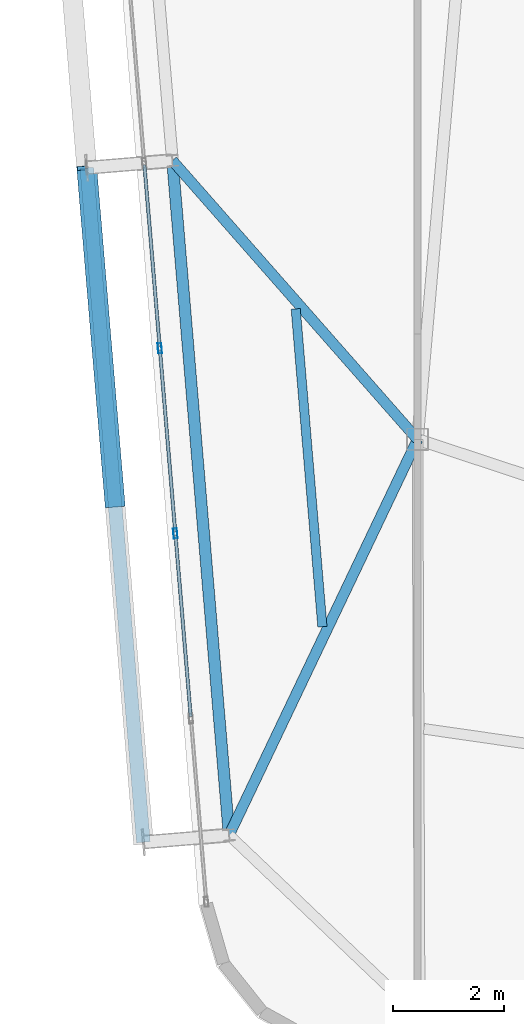
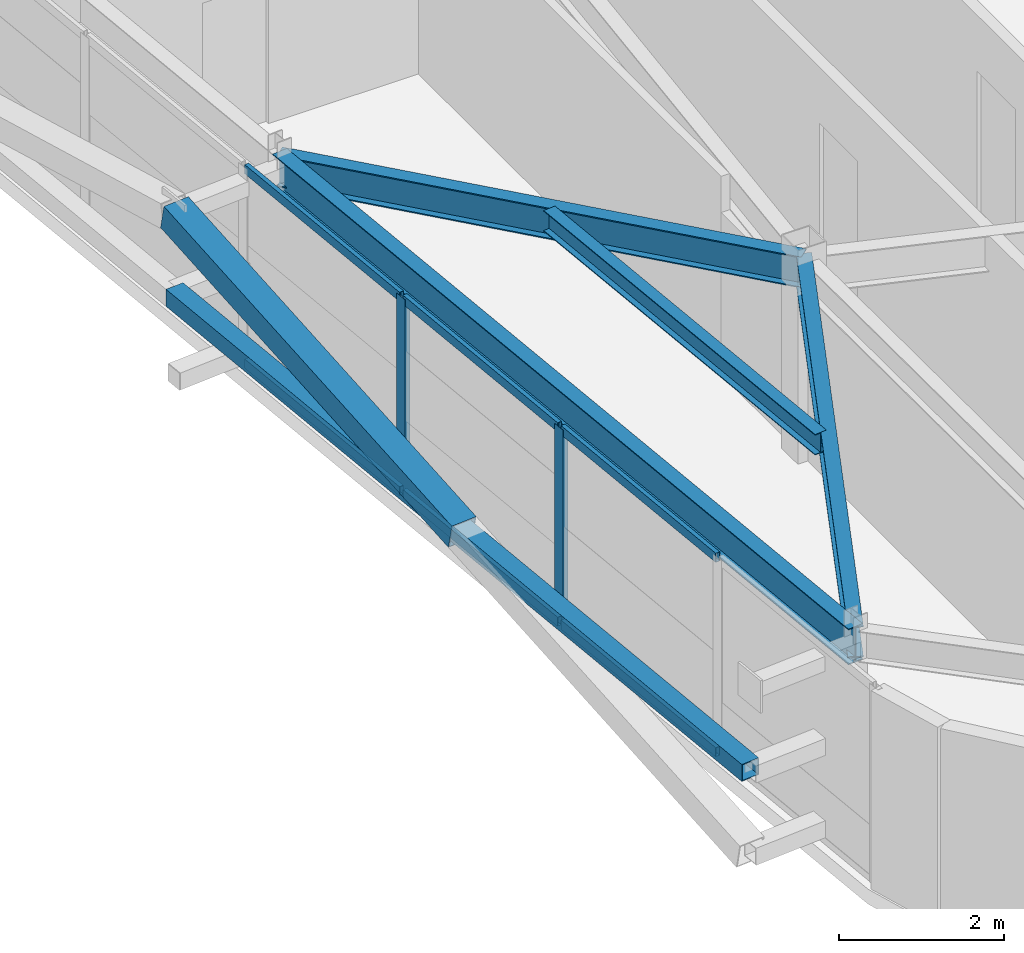
# One storey, part 9 of 44: 10 members, 4 beams, 1 element without a shape of its own.
"""IFC4 building model written with IfcOpenShell, lengths in metres."""

from ifc_helpers import new_model, si_unit, direction, frame, origin, origin_2d, place, context, subcontext, project, spatial, hollow_rectangle, i_section, extrude, source, transform, mapped, material, layer, layer_set, material_profile, profile_set, type_object, element, aggregate, save


model = new_model("IFC4")

# Units and contexts
model_context = context("Model", 3, precision=1e-05, world=origin(), true_north=direction((0.0, 1.0)))
body_context = subcontext(model_context, "Body", "Model", "MODEL_VIEW")
ifc_project = project(units=[si_unit("LENGTHUNIT", "METRE"), si_unit("AREAUNIT", "SQUARE_METRE"), si_unit("VOLUMEUNIT", "CUBIC_METRE"), si_unit("PLANEANGLEUNIT", "RADIAN"), si_unit("MASSUNIT", "GRAM", prefix="KILO")], contexts=[model_context])

# Site, building, storey
site_placement = place(None, origin())
site = spatial("IfcSite", under=ifc_project, at=site_placement, CompositionType="ELEMENT")
building_placement = place(site_placement, origin())
building = spatial("IfcBuilding", under=site, at=building_placement, Name="Taldren Reach Tower", CompositionType="ELEMENT")
storey_placement = place(building_placement, frame((0.0, 0.0, 191.449951171875)))
storey = spatial("IfcBuildingStorey", under=building, at=storey_placement, Name="L58", CompositionType="ELEMENT", Elevation=191.449951171875)

# Beams
ifc_material_1 = material(Name="Steel Gr 350 (350PLUS)", Category="steel")
ifc_material_profile_1 = material_profile(ifc_material_1, i_section(OverallWidth=0.208984375, OverallDepth=0.528076171875, WebThickness=0.009521484375, FlangeThickness=0.01318359375, at=origin_2d()), Name="530UB82.0")
ifc_profile_set_1 = profile_set([ifc_material_profile_1], Name="Steel Gr 350 (350PLUS)")
beam_type_1 = type_object("IfcBeamType", Name="SP-UB530B", PredefinedType="SPANDREL", material=ifc_profile_set_1)
shared_shape_1 = source(origin(), body_context, "Body", "SweptSolid", [
    extrude(i_section(OverallWidth=0.208984375, OverallDepth=0.528076171875, WebThickness=0.009521484375, FlangeThickness=0.01318359375, at=origin_2d()), origin(), (0.0, 0.0, 1.0), 12.199951171875),
])
beam_1_placement = place(storey_placement, frame((13.582763671875, 17.525146484375, 2.666015625), z_axis=(0.083688038336, -0.996492003099, 0.0), x_axis=(0.996492003099, 0.083688038336, 0.0)))
element("IfcBeam", 1, at=beam_1_placement, inside=storey, type_object=beam_type_1, Name="Perimeter spandrel B4 W2-W1 L58", PredefinedType="SPANDREL", context=body_context, shape_type="MappedRepresentation", body=[
    mapped(shared_shape_1, transform((0.0, 0.0, 0.0), scale=1.0)),
])
ifc_material_profile_2 = material_profile(ifc_material_1, i_section(OverallWidth=0.19091796875, OverallDepth=0.4599609375, WebThickness=0.010009765625, FlangeThickness=0.01611328125, at=origin_2d()), Name="460UB82.1")
ifc_profile_set_2 = profile_set([ifc_material_profile_2], Name="Steel Gr 350 (350PLUS)")
beam_type_2 = type_object("IfcBeamType", Name="BM-UB460A", PredefinedType="BEAM", material=ifc_profile_set_2)
shared_shape_2 = source(origin(), body_context, "Body", "SweptSolid", [
    extrude(i_section(OverallWidth=0.19091796875, OverallDepth=0.4599609375, WebThickness=0.010009765625, FlangeThickness=0.01611328125, at=origin_2d()), origin(), (0.0, 0.0, 1.0), 6.690673828125),
])
beam_2_placement = place(storey_placement, frame((18.0, 12.5, 2.699951171875), z_axis=(-0.660215677485, 0.751076067521, 0.0), x_axis=(-0.751076067521, -0.660215677485, 0.0)))
element("IfcBeam", 2, at=beam_2_placement, inside=storey, type_object=beam_type_2, Name="Primary floor girder B4-W2 L58", PredefinedType="BEAM", context=body_context, shape_type="MappedRepresentation", body=[
    mapped(shared_shape_2, transform((0.0, 0.0, 0.0), scale=1.0)),
])
shared_shape_3 = source(origin(), body_context, "Body", "SweptSolid", [
    extrude(i_section(OverallWidth=0.19091796875, OverallDepth=0.4599609375, WebThickness=0.010009765625, FlangeThickness=0.01611328125, at=origin_2d()), origin(), (0.0, 0.0, 1.0), 7.8994140625),
])
beam_3_placement = place(storey_placement, frame((18.0, 12.5, 2.699951171875), z_axis=(-0.429934780074, -0.902859947546, 0.0), x_axis=(0.902859947546, -0.429934780074, 0.0)))
element("IfcBeam", 3, at=beam_3_placement, inside=storey, type_object=beam_type_2, Name="Primary floor girder B4-W1 L58", PredefinedType="BEAM", context=body_context, shape_type="MappedRepresentation", body=[
    mapped(shared_shape_3, transform((0.0, 0.0, 0.0), scale=1.0)),
])
ifc_material_2 = material(Name="Steel Gr 300 (300PLUS, 300 MPa)", Category="steel")
ifc_material_profile_3 = material_profile(ifc_material_2, i_section(OverallWidth=0.166015625, OverallDepth=0.306884765625, WebThickness=0.006591796875, FlangeThickness=0.01171875, at=origin_2d()), Name="310UB46.2")
ifc_profile_set_3 = profile_set([ifc_material_profile_3], Name="Steel Gr 300 (300PLUS, 300 MPa)")
beam_type_3 = type_object("IfcBeamType", Name="JS-UB310", PredefinedType="JOIST", material=ifc_profile_set_3)
shared_shape_4 = source(origin(), body_context, "Body", "SweptSolid", [
    extrude(i_section(OverallWidth=0.166015625, OverallDepth=0.306884765625, WebThickness=0.006591796875, FlangeThickness=0.01171875, at=origin_2d()), origin(), (0.0, 0.0, 1.0), 5.750244140625),
])
beam_4_placement = place(storey_placement, frame((16.285888671875, 9.122802734375, 2.776611328125), z_axis=(-0.083642808993, 0.996495800545, 0.0), x_axis=(-0.996495800545, -0.083642808993, 0.0)))
element("IfcBeam", 4, at=beam_4_placement, inside=storey, type_object=beam_type_3, Name="Secondary floor joist B4 J6 L58", PredefinedType="JOIST", context=body_context, shape_type="MappedRepresentation", body=[
    mapped(shared_shape_4, transform((0.0, 0.0, 0.0), scale=1.0)),
])

# Members
ifc_material_3 = material(Name="Steel Gr 350 (C350L0)", Category="steel")
ifc_material_profile_4 = material_profile(ifc_material_3, hollow_rectangle(XDim=0.25, YDim=0.25, WallThickness=0.010009765625, at=origin_2d()), Name="250x250x10.0SHS")
ifc_profile_set_4 = profile_set([ifc_material_profile_4], Name="Steel Gr 350 (C350L0)")
member_type_1 = type_object("IfcMemberType", Name="MB-POST250", PredefinedType="POST", material=ifc_profile_set_4)
shared_shape_5 = source(origin(), body_context, "Body", "SweptSolid", [
    extrude(hollow_rectangle(XDim=0.25, YDim=0.25, WallThickness=0.010009765625, at=origin_2d()), origin(), (0.0, 0.0, 1.0), 12.199951171875),
])
member_1_placement = place(storey_placement, frame((13.05908203125, 5.23828125, 1.43505859375), z_axis=(-0.083688038336, 0.996492003099, 0.0), x_axis=(-0.996492003099, -0.083688038336, 0.0)))
element("IfcMember", 5, at=member_1_placement, inside=storey, type_object=member_type_1, Name="Exoskeleton mid-height ring chord B4-W1 L58", PredefinedType="POST", context=body_context, shape_type="MappedRepresentation", body=[
    mapped(shared_shape_5, transform((0.0, 0.0, 0.0), scale=1.0)),
])
ifc_material_4 = material(Name="Steel Gr 450 (C450L0)", Category="steel")
ifc_material_profile_5 = material_profile(ifc_material_4, hollow_rectangle(XDim=0.360107421875, YDim=0.360107421875, WallThickness=0.0126953125, at=origin_2d()), Name="360x360x12.7SHS")
ifc_profile_set_5 = profile_set([ifc_material_profile_5], Name="Steel Gr 450 (C450L0)")
member_type_2 = type_object("IfcMemberType", Name="MB-EXO356", PredefinedType="BRACE", material=ifc_profile_set_5)
shared_shape_6 = source(origin(), body_context, "Body", "SweptSolid", [
    extrude(hollow_rectangle(XDim=0.360107421875, YDim=0.360107421875, WallThickness=0.0126953125, at=origin_2d()), origin(), (0.0, 0.0, 1.0), 6.219970703125),
])
member_2_placement = place(storey_placement, frame((12.548583984375, 11.31689453125, 1.43505859375), z_axis=(-0.082075564879, 0.977291924611, 0.195356330179), x_axis=(-0.996492003099, -0.083688038336, 0.0)))
element("IfcMember", 6, at=member_2_placement, inside=storey, type_object=member_type_2, Name="Exoskeleton Diagrid Brace B4-W1 L58", PredefinedType="BRACE", context=body_context, shape_type="MappedRepresentation", body=[
    mapped(shared_shape_6, transform((0.0, 0.0, 0.0), scale=1.0)),
])

# Curtain wall, members
ifc_material_5 = material(Name="Aluminium and Low-E Glass Unitised System", Category="aluminium")
ifc_layer = layer(ifc_material_5, 0.159912109375)
ifc_layer_set = layer_set([ifc_layer], Name="Aluminium and Low-E Glass Unitised System")
curtain_wall_type = type_object("IfcCurtainWallType", Name="CW-SYS-5", PredefinedType="NOTDEFINED", material=ifc_layer_set)
curtain_wall_placement = place(storey_placement, origin())
curtain_wall = element("IfcCurtainWall", 7, at=curtain_wall_placement, inside=storey, type_object=curtain_wall_type, Name="Unitised curtain wall CW-L58-W", PredefinedType="NOTDEFINED")
ifc_material_6 = material(Name="Anodised Aluminium 6063-T6", Category="aluminium")
ifc_material_profile_6 = material_profile(ifc_material_6, hollow_rectangle(XDim=0.070068359375, YDim=0.179931640625, WallThickness=0.00390625, at=origin_2d()), Name="ALU-180x70x4RHS")
ifc_profile_set_6 = profile_set([ifc_material_profile_6], Name="Anodised Aluminium 6063-T6")
member_type_3 = type_object("IfcMemberType", Name="CW-MUL-180", PredefinedType="MULLION", material=ifc_profile_set_6)
shared_shape_7 = source(origin(), body_context, "Body", "SweptSolid", [
    extrude(hollow_rectangle(XDim=0.070068359375, YDim=0.179931640625, WallThickness=0.00390625, at=origin_2d()), origin(), (0.0, 0.0, 1.0), 2.929931640625),
])
member_3_placement = place(storey_placement, frame((13.35498046875, 14.144287109375, 0.0), z_axis=(0.0, 0.0, 1.0), x_axis=(0.996492847789, 0.083677979808, 0.0)))
member_3 = element("IfcMember", 8, at=member_3_placement, type_object=member_type_3, Name="CW-5 mullion 6", PredefinedType="MULLION", context=body_context, shape_type="MappedRepresentation", body=[
    mapped(shared_shape_7, transform((0.0, 0.0, 0.0), scale=1.0)),
])
member_4_placement = place(storey_placement, frame((13.63525390625, 10.805908203125, 0.0), z_axis=(0.0, 0.0, 1.0), x_axis=(0.996492847789, 0.083677979808, 0.0)))
member_4 = element("IfcMember", 9, at=member_4_placement, type_object=member_type_3, Name="CW-5 mullion 7", PredefinedType="MULLION", context=body_context, shape_type="MappedRepresentation", body=[
    mapped(shared_shape_7, transform((0.0, 0.0, 0.0), scale=1.0)),
])
ifc_material_profile_7 = material_profile(ifc_material_6, hollow_rectangle(XDim=0.06005859375, YDim=0.135009765625, WallThickness=0.00341796875, at=origin_2d()), Name="ALU-135x60x3.5RHS")
ifc_profile_set_7 = profile_set([ifc_material_profile_7], Name="Anodised Aluminium 6063-T6")
member_type_4 = type_object("IfcMemberType", Name="CW-TRN-150", PredefinedType="USERDEFINED", material=ifc_profile_set_7)
shared_shape_8 = source(origin(), body_context, "Body", "SweptSolid", [
    extrude(hollow_rectangle(XDim=0.06005859375, YDim=0.135009765625, WallThickness=0.00341796875, at=origin_2d()), origin(), (0.0, 0.0, 1.0), 3.280029296875),
])
member_5_placement = place(storey_placement, frame((13.077392578125, 17.44775390625, 0.030029296875), z_axis=(0.083735362341, -0.996488027572, 0.0), x_axis=(0.996488027572, 0.083735362341, 0.0)))
member_5 = element("IfcMember", 10, at=member_5_placement, type_object=member_type_4, Name="CW-5 transom 5.1", ObjectType="TRANSOM", PredefinedType="USERDEFINED", context=body_context, shape_type="MappedRepresentation", body=[
    mapped(shared_shape_8, transform((0.0, 0.0, 0.0), scale=1.0)),
])
member_6_placement = place(storey_placement, frame((13.077392578125, 17.44775390625, 2.900146484375), z_axis=(0.083735362341, -0.996488027572, 0.0), x_axis=(0.996488027572, 0.083735362341, 0.0)))
member_6 = element("IfcMember", 11, at=member_6_placement, type_object=member_type_4, Name="CW-5 transom 5.2", ObjectType="TRANSOM", PredefinedType="USERDEFINED", context=body_context, shape_type="MappedRepresentation", body=[
    mapped(shared_shape_8, transform((0.0, 0.0, 0.0), scale=1.0)),
])
member_7_placement = place(storey_placement, frame((13.35791015625, 14.109375, 0.030029296875), z_axis=(0.083661452101, -0.996494235524, 0.0), x_axis=(0.996494235524, 0.083661452101, 0.0)))
member_7 = element("IfcMember", 12, at=member_7_placement, type_object=member_type_4, Name="CW-5 transom 6.1", ObjectType="TRANSOM", PredefinedType="USERDEFINED", context=body_context, shape_type="MappedRepresentation", body=[
    mapped(shared_shape_8, transform((0.0, 0.0, 0.0), scale=1.0)),
])
member_8_placement = place(storey_placement, frame((13.35791015625, 14.109375, 2.900146484375), z_axis=(0.083661452101, -0.996494235524, 0.0), x_axis=(0.996494235524, 0.083661452101, 0.0)))
member_8 = element("IfcMember", 13, at=member_8_placement, type_object=member_type_4, Name="CW-5 transom 6.2", ObjectType="TRANSOM", PredefinedType="USERDEFINED", context=body_context, shape_type="MappedRepresentation", body=[
    mapped(shared_shape_8, transform((0.0, 0.0, 0.0), scale=1.0)),
])
member_9_placement = place(storey_placement, frame((13.63818359375, 10.771240234375, 0.030029296875), z_axis=(0.083661452101, -0.996494235524, 0.0), x_axis=(0.996494235524, 0.083661452101, 0.0)))
member_9 = element("IfcMember", 14, at=member_9_placement, type_object=member_type_4, Name="CW-5 transom 7.1", ObjectType="TRANSOM", PredefinedType="USERDEFINED", context=body_context, shape_type="MappedRepresentation", body=[
    mapped(shared_shape_8, transform((0.0, 0.0, 0.0), scale=1.0)),
])
member_10_placement = place(storey_placement, frame((13.63818359375, 10.771240234375, 2.900146484375), z_axis=(0.083661452101, -0.996494235524, 0.0), x_axis=(0.996494235524, 0.083661452101, 0.0)))
member_10 = element("IfcMember", 15, at=member_10_placement, type_object=member_type_4, Name="CW-5 transom 7.2", ObjectType="TRANSOM", PredefinedType="USERDEFINED", context=body_context, shape_type="MappedRepresentation", body=[
    mapped(shared_shape_8, transform((0.0, 0.0, 0.0), scale=1.0)),
])
aggregate(curtain_wall, [member_3, member_4, member_5, member_6, member_7, member_8, member_9, member_10])

save(model, "model.ifc")
